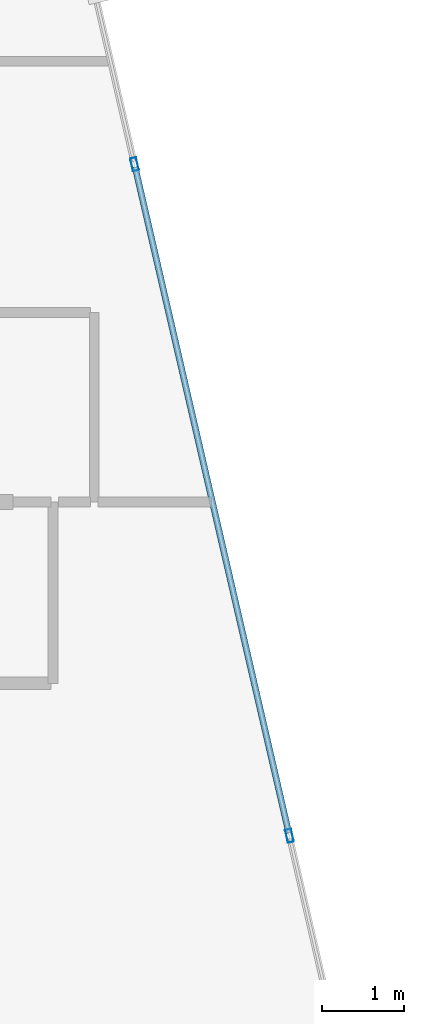
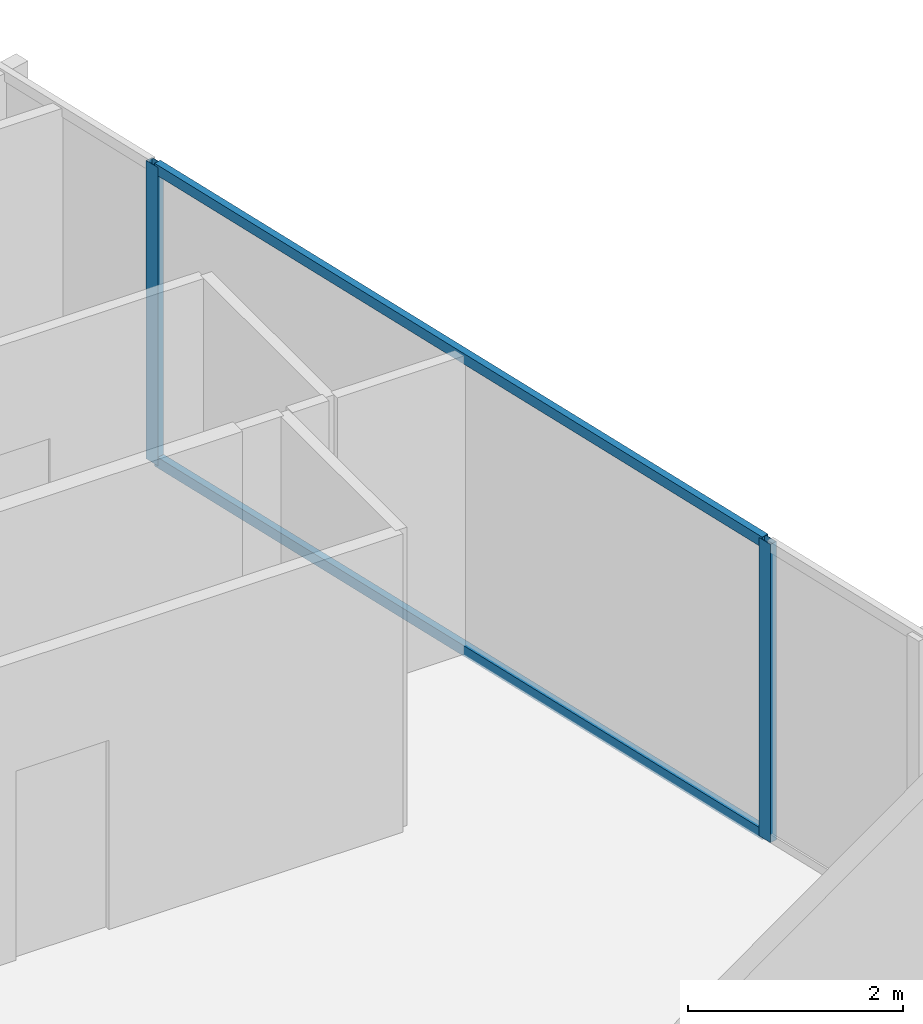
# One storey, part 20 of 29: 4 members, 1 element without a shape of its own.
"""IFC4 building model written with IfcOpenShell, lengths in metres."""

import ifcopenshell
import ifcopenshell.guid

model = None  # the IFC model being written
_history = None  # IfcOwnerHistory: only IFC2X3 demands one
_inside = {}  # id of a spatial element -> (the spatial element, [elements in it])
_under = {}  # id of a project, library or spatial element -> (it, [spatial elements below it])
_declared = {}  # id of a project -> (the project, [libraries it declares])
_typed = {}  # id of a type object -> (the type object, [elements of that type])
_made_of = {}  # id of a material, layer set ... -> (it, [elements and type objects made of it])


def new_model(schema):
    """Start an empty IFC model of exactly this schema.

    Asked for "IFC4X3", IfcOpenShell would pick the latest addendum, in which some entities
    have other attributes; the version numbers below select the first issue.
    IFC2X3 requires an IfcOwnerHistory on every rooted entity: one is made here for all.
    """
    global model, _history
    if schema == "IFC4X3":
        model = ifcopenshell.file(schema_version=(4, 3, 0, 0))
    else:
        model = ifcopenshell.file(schema=schema)
    _inside.clear()
    _under.clear()
    _declared.clear()
    _typed.clear()
    _made_of.clear()
    _history = None
    if model.schema == "IFC2X3":
        org = make("IfcOrganization", Name="unknown")
        user = make(
            "IfcPersonAndOrganization",
            ThePerson=make("IfcPerson", FamilyName="unknown"),
            TheOrganization=org,
        )
        app = make(
            "IfcApplication",
            ApplicationDeveloper=org,
            Version="unknown",
            ApplicationFullName="unknown",
            ApplicationIdentifier="unknown",
        )
        _history = make(
            "IfcOwnerHistory",
            OwningUser=user,
            OwningApplication=app,
            ChangeAction="ADDED",
            CreationDate=0,
        )
    return model


def make(cls, **values):
    """One entity of the class cls with the attributes given. An attribute that is None is left unset."""
    return model.create_entity(
        cls, **{name: value for name, value in values.items() if value is not None}
    )


def rooted(cls, **values):
    """An entity with a GlobalId (a new one), such as an element, a storey or a relation."""
    return make(cls, GlobalId=ifcopenshell.guid.new(), OwnerHistory=_history, **values)


def si_unit(unit_type, name, prefix=None):
    """IfcSIUnit, for example si_unit("LENGTHUNIT", "METRE", prefix="MILLI")."""
    return make("IfcSIUnit", UnitType=unit_type, Prefix=prefix, Name=name)


def assignment(units):
    """IfcUnitAssignment: the units of a project."""
    return None if units is None else make("IfcUnitAssignment", Units=units)


def point(xyz):
    """IfcCartesianPoint."""
    return None if xyz is None else make("IfcCartesianPoint", Coordinates=xyz)


def direction(xyz):
    """IfcDirection."""
    return None if xyz is None else make("IfcDirection", DirectionRatios=xyz)


def frame(location, z_axis=None, x_axis=None):
    """IfcAxis2Placement3D, a coordinate frame: its origin and axes. An axis left out is left unset."""
    return make(
        "IfcAxis2Placement3D",
        Location=point(location),
        Axis=direction(z_axis),
        RefDirection=direction(x_axis),
    )


def frame_2d(location, x_axis=None):
    """IfcAxis2Placement2D, a coordinate frame in the plane: its origin and x axis."""
    return make(
        "IfcAxis2Placement2D", Location=point(location), RefDirection=direction(x_axis)
    )


def origin():
    """The frame at (0, 0, 0) with its axes left unset."""
    return frame((0.0, 0.0, 0.0))


def origin_2d():
    """The frame at (0, 0) in the plane with its x axis left unset."""
    return frame_2d((0.0, 0.0))


def place(relative_to, where):
    """IfcLocalPlacement: puts the frame where relative to a parent placement (None: the world)."""
    return make(
        "IfcLocalPlacement", PlacementRelTo=relative_to, RelativePlacement=where
    )


def context(
    kind, dimensions, precision=None, world=None, true_north=None, identifier=None
):
    """IfcGeometricRepresentationContext, for example the 3D "Model" context."""
    return make(
        "IfcGeometricRepresentationContext",
        ContextIdentifier=identifier,
        ContextType=kind,
        CoordinateSpaceDimension=dimensions,
        Precision=precision,
        WorldCoordinateSystem=world,
        TrueNorth=true_north,
    )


def subcontext(parent, identifier, kind, view, scale=None):
    """IfcGeometricRepresentationSubContext, for example "Body" below "Model"."""
    return make(
        "IfcGeometricRepresentationSubContext",
        ContextIdentifier=identifier,
        ContextType=kind,
        ParentContext=parent,
        TargetScale=scale,
        TargetView=view,
    )


def project(units=None, contexts=None):
    """IfcProject with its units and contexts."""
    return rooted(
        "IfcProject",
        Name="project",
        RepresentationContexts=contexts,
        UnitsInContext=assignment(units),
    )


def spatial(cls, under=None, at=None, **own):
    """A site, building, storey or space (cls), placed at a placement, below another one or the project."""
    s = rooted(cls, ObjectPlacement=at, **own)
    if under is not None:
        _under.setdefault(under.id(), (under, []))[1].append(s)
    return s


def profile(cls, at=None, kind="AREA", **sizes):
    """A parametric profile (cls). Its sizes go by their IFC names, for example OverallWidth=200.0."""
    return make(cls, ProfileType=kind, Position=at, **sizes)


def hollow_rectangle(**sizes):
    """IfcRectangleHollowProfileDef."""
    return profile("IfcRectangleHollowProfileDef", **sizes)


def extrude(swept, where, along, depth):
    """IfcExtrudedAreaSolid: the profile swept, set in the frame where, extruded along a direction by depth."""
    return make(
        "IfcExtrudedAreaSolid",
        SweptArea=swept,
        Position=where,
        ExtrudedDirection=direction(along),
        Depth=depth,
    )


def shape(context_of_items, identifier, shape_type, items):
    """IfcShapeRepresentation: the items that make up one representation, for example the "Body"."""
    return make(
        "IfcShapeRepresentation",
        ContextOfItems=context_of_items,
        RepresentationIdentifier=identifier,
        RepresentationType=shape_type,
        Items=items,
    )


def material(Name=None, Category=None):
    """IfcMaterial."""
    return make("IfcMaterial", Name=Name, Category=Category)


def layer(
    of_material, thickness, ventilated=None, Name=None, Category=None, Priority=None
):
    """IfcMaterialLayer: one layer of a wall or slab, of a material (None: an air gap)."""
    return make(
        "IfcMaterialLayer",
        Material=of_material,
        LayerThickness=thickness,
        IsVentilated=ventilated,
        Name=Name,
        Category=Category,
        Priority=Priority,
    )


def layer_set(layers, Name=None):
    """IfcMaterialLayerSet."""
    return make("IfcMaterialLayerSet", MaterialLayers=layers, LayerSetName=Name)


def material_profile(
    of_material, cross_section, Name=None, Category=None, Priority=None
):
    """IfcMaterialProfile: a cross section and its material."""
    return make(
        "IfcMaterialProfile",
        Name=Name,
        Material=of_material,
        Profile=cross_section,
        Priority=Priority,
        Category=Category,
    )


def profile_set(profiles, Name=None, composite=None):
    """IfcMaterialProfileSet."""
    return make(
        "IfcMaterialProfileSet",
        Name=Name,
        MaterialProfiles=profiles,
        CompositeProfile=composite,
    )


def made_of(thing, what):
    """Note that an element or type object is made of a material, layer set ...; save() writes the relation."""
    if what is not None:
        _made_of.setdefault(what.id(), (what, []))[1].append(thing)
    return thing


def type_object(cls, material=None, **own):
    """A type object (cls), such as IfcWallType, which elements share."""
    return made_of(rooted(cls, **own), material)


def element(
    cls,
    number,
    at=None,
    inside=None,
    cuts=None,
    type_object=None,
    material=None,
    context=None,
    identifier="Body",
    shape_type=None,
    held_by="IfcProductDefinitionShape",
    body=None,
    shapes=None,
    **own,
):
    """One element of the class cls, such as IfcWall. Its Tag is "e" and its number.

    at: its placement. inside: the storey or other place that contains it. cuts: it is an
    opening in that element (IfcRelVoidsElement). A single representation is given by context,
    identifier, shape_type and body (its items); several are given by shapes. held_by: the class
    of the entity that holds the representations. save() writes the other relations.
    """
    e = rooted(cls, Tag="e%d" % number, ObjectPlacement=at, **own)
    if body is not None:
        shapes = [shape(context, identifier, shape_type, body)]
    if shapes is not None:
        e.Representation = make(held_by, Representations=shapes)
    if inside is not None:
        _inside.setdefault(inside.id(), (inside, []))[1].append(e)
    if cuts is not None:
        rooted(
            "IfcRelVoidsElement", RelatingBuildingElement=cuts, RelatedOpeningElement=e
        )
    if type_object is not None:
        _typed.setdefault(type_object.id(), (type_object, []))[1].append(e)
    return made_of(e, material)


def aggregate(whole, parts):
    """IfcRelAggregates: a whole, such as a stair, and the parts it consists of."""
    return rooted("IfcRelAggregates", RelatingObject=whole, RelatedObjects=parts)


def save(model, path):
    """Write the relations noted so far, then the file.

    IfcRelAggregates (storeys below a building ...), IfcRelContainedInSpatialStructure (elements
    in a storey), IfcRelDefinesByType, IfcRelAssociatesMaterial and IfcRelDeclares: one each for
    every whole, place, type object, material and project.
    """
    for whole, parts in _under.values():
        aggregate(whole, parts)
    for where, things in _inside.values():
        rooted(
            "IfcRelContainedInSpatialStructure",
            RelatedElements=things,
            RelatingStructure=where,
        )
    for kind, things in _typed.values():
        rooted("IfcRelDefinesByType", RelatedObjects=things, RelatingType=kind)
    for what, things in _made_of.values():
        rooted("IfcRelAssociatesMaterial", RelatedObjects=things, RelatingMaterial=what)
    for by, libraries in _declared.values():
        rooted("IfcRelDeclares", RelatingContext=by, RelatedDefinitions=libraries)
    model.write(path)


model = new_model("IFC4")

# Units and contexts
model_context = context("Model", 3, precision=1e-05, world=origin(), true_north=direction((0.0, 1.0)))
body_context = subcontext(model_context, "Body", "Model", "MODEL_VIEW")
ifc_project = project(units=[si_unit("LENGTHUNIT", "METRE"), si_unit("AREAUNIT", "SQUARE_METRE"), si_unit("VOLUMEUNIT", "CUBIC_METRE"), si_unit("PLANEANGLEUNIT", "RADIAN"), si_unit("MASSUNIT", "GRAM", prefix="KILO")], contexts=[model_context])

# Site, building, storey
site_placement = place(None, origin())
site = spatial("IfcSite", under=ifc_project, at=site_placement, CompositionType="ELEMENT")
building_placement = place(site_placement, origin())
building = spatial("IfcBuilding", under=site, at=building_placement, Name="Keshet Zoharim Tower", CompositionType="ELEMENT")
storey_placement = place(building_placement, frame((0.0, 0.0, 203.199951171875)))
storey = spatial("IfcBuildingStorey", under=building, at=storey_placement, Name="L50", CompositionType="ELEMENT", Elevation=203.199951171875)

# Curtain wall, members
ifc_material = material(Name="Aluminium 6063-T6", Category="aluminium")
ifc_layer = layer(ifc_material, 0.139892578125)
ifc_layer_set = layer_set([ifc_layer], Name="Aluminium 6063-T6")
curtain_wall_type = type_object("IfcCurtainWallType", Name="CW-SYS-05", PredefinedType="NOTDEFINED", material=ifc_layer_set)
curtain_wall_placement = place(storey_placement, origin())
curtain_wall = element("IfcCurtainWall", 1, at=curtain_wall_placement, inside=storey, type_object=curtain_wall_type, Name="L50 Unitised Curtain Wall 19", PredefinedType="NOTDEFINED")
ifc_material_profile_1 = material_profile(ifc_material, hollow_rectangle(XDim=0.074951171875, YDim=0.159912109375, WallThickness=0.00390625, at=origin_2d()), Name="MUL-75x160")
ifc_profile_set_1 = profile_set([ifc_material_profile_1], Name="Aluminium 6063-T6")
member_type_1 = type_object("IfcMemberType", Name="CWM-M15", PredefinedType="MULLION", material=ifc_profile_set_1)
member_1_placement = place(storey_placement, frame((41.23876953125, 44.199951171875, 0.0), z_axis=(0.0, 0.0, 1.0), x_axis=(0.974393882313, 0.224847864369, 0.0)))
member_1 = element("IfcMember", 2, at=member_1_placement, type_object=member_type_1, Name="CW-05 mullion 2", PredefinedType="MULLION", context=body_context, shape_type="SweptSolid", body=[
    extrude(hollow_rectangle(XDim=0.074951171875, YDim=0.159912109375, WallThickness=0.00390625, at=origin_2d()), origin(), (0.0, 0.0, 1.0), 3.39013671875),
])
member_2_placement = place(storey_placement, frame((43.119384765625, 36.050048828125, 0.0), z_axis=(0.0, 0.0, 1.0), x_axis=(0.974393882313, 0.224847864369, 0.0)))
member_2 = element("IfcMember", 3, at=member_2_placement, type_object=member_type_1, Name="CW-05 mullion 3", PredefinedType="MULLION", context=body_context, shape_type="SweptSolid", body=[
    extrude(hollow_rectangle(XDim=0.074951171875, YDim=0.159912109375, WallThickness=0.00390625, at=origin_2d()), origin(), (0.0, 0.0, 1.0), 3.39013671875),
])
ifc_material_profile_2 = material_profile(ifc_material, hollow_rectangle(XDim=0.074951171875, YDim=0.1201171875, WallThickness=0.00390625, at=origin_2d()), Name="TRN-75x120")
ifc_profile_set_2 = profile_set([ifc_material_profile_2], Name="Aluminium 6063-T6")
member_type_2 = type_object("IfcMemberType", Name="CWT-T12", PredefinedType="USERDEFINED", material=ifc_profile_set_2)
member_3_placement = place(storey_placement, frame((41.24658203125, 44.166015625, 0.03515625), z_axis=(0.224848758198, -0.974393676055, 0.0), x_axis=(0.974393676055, 0.224848758198, 0.0)))
member_3 = element("IfcMember", 4, at=member_3_placement, type_object=member_type_2, Name="CW-05 transom 2.1", ObjectType="TRANSOM", PredefinedType="USERDEFINED", context=body_context, shape_type="SweptSolid", body=[
    extrude(hollow_rectangle(XDim=0.074951171875, YDim=0.1201171875, WallThickness=0.00390625, at=origin_2d()), origin(), (0.0, 0.0, 1.0), 8.29443359375),
])
member_4_placement = place(storey_placement, frame((41.24658203125, 44.166015625, 3.35498046875), z_axis=(0.224848758198, -0.974393676055, 0.0), x_axis=(0.974393676055, 0.224848758198, 0.0)))
member_4 = element("IfcMember", 5, at=member_4_placement, type_object=member_type_2, Name="CW-05 transom 2.2", ObjectType="TRANSOM", PredefinedType="USERDEFINED", context=body_context, shape_type="SweptSolid", body=[
    extrude(hollow_rectangle(XDim=0.074951171875, YDim=0.1201171875, WallThickness=0.00390625, at=origin_2d()), origin(), (0.0, 0.0, 1.0), 8.29443359375),
])
aggregate(curtain_wall, [member_1, member_2, member_3, member_4])

save(model, "model.ifc")
